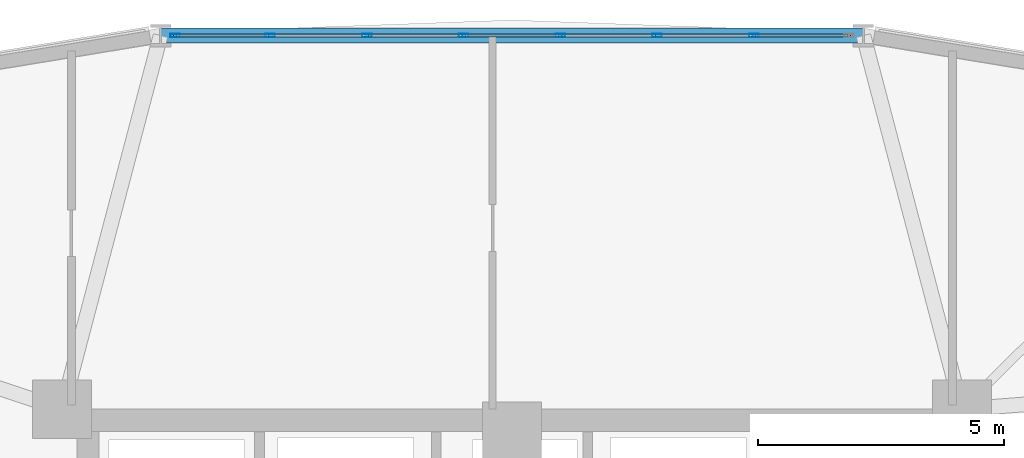
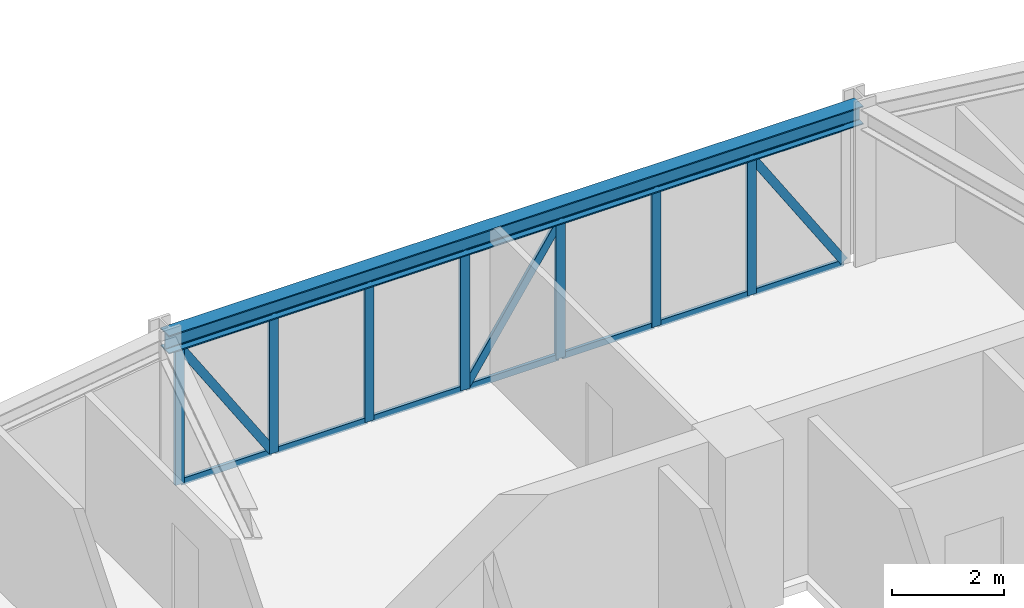
# One storey, part 8 of 17: 24 members, 1 beam, 1 element without a shape of its own.
"""IFC4 building model written with IfcOpenShell, lengths in metres."""

from ifc_helpers import new_model, si_unit, derived_unit, direction, frame, origin, origin_2d, place, context, subcontext, project, spatial, hollow_rectangle, i_section, extrude, source, transform, mapped, material, layer, layer_set, material_profile, profile_set, type_object, element, aggregate, save


model = new_model("IFC4")

# Units and contexts
model_context = context("Model", 3, precision=1e-05, world=origin(), true_north=direction((0.0, 1.0)))
body_context = subcontext(model_context, "Body", "Model", "MODEL_VIEW")
ifc_project = project(units=[si_unit("LENGTHUNIT", "METRE"), si_unit("AREAUNIT", "SQUARE_METRE"), si_unit("VOLUMEUNIT", "CUBIC_METRE"), si_unit("PLANEANGLEUNIT", "RADIAN"), si_unit("MASSUNIT", "GRAM", prefix="KILO"), derived_unit("THERMALTRANSMITTANCEUNIT", [(si_unit("POWERUNIT", "WATT"), 1), (si_unit("LENGTHUNIT", "METRE"), -2), (si_unit("THERMODYNAMICTEMPERATUREUNIT", "KELVIN"), -1)])], contexts=[model_context])

# Site, building, storey
site_placement = place(None, origin())
site = spatial("IfcSite", under=ifc_project, at=site_placement, CompositionType="ELEMENT")
building_placement = place(site_placement, origin())
building = spatial("IfcBuilding", under=site, at=building_placement, Name="Korsvarv Bourse and Concert Hall", CompositionType="ELEMENT")
storey_placement = place(building_placement, frame((0.0, 0.0, 102.60009765625)))
storey = spatial("IfcBuildingStorey", under=building, at=storey_placement, Name="L25", CompositionType="ELEMENT", Elevation=102.60009765625)

# Beam
ifc_material_1 = material(Name="Steel S355", Category="steel")
ifc_material_profile_1 = material_profile(ifc_material_1, i_section(OverallWidth=0.300048828125, OverallDepth=0.39990234375, WebThickness=0.013427734375, FlangeThickness=0.02392578125, FilletRadius=0.02099609375, at=origin_2d()), Name="HEB 400")
ifc_profile_set_1 = profile_set([ifc_material_profile_1], Name="Steel S355")
beam_type = type_object("IfcBeamType", Name="BM-HEB400", PredefinedType="SPANDREL", material=ifc_profile_set_1)
shared_shape_1 = source(origin(), body_context, "Body", "SweptSolid", [
    extrude(i_section(OverallWidth=0.300048828125, OverallDepth=0.39990234375, WebThickness=0.013427734375, FlangeThickness=0.02392578125, FilletRadius=0.02099609375, at=origin_2d()), origin(), (0.0, 0.0, 1.0), 14.298828125),
])
beam_placement = place(storey_placement, frame((43.1494140625, 54.8515625, 3.199951171875), z_axis=(-1.0, 0.0, 0.0), x_axis=(0.0, -1.0, 0.0)))
element("IfcBeam", 1, at=beam_placement, inside=storey, type_object=beam_type, Name="L25 beam B-09", PredefinedType="SPANDREL", context=body_context, shape_type="MappedRepresentation", body=[
    mapped(shared_shape_1, transform((0.0, 0.0, 0.0), scale=1.0)),
])

# Curtain wall, members
ifc_material_2 = material(Name="Anodised aluminium and triple low-E glazing", Category="glass")
ifc_layer = layer(ifc_material_2, 0.2099609375)
ifc_layer_set = layer_set([ifc_layer], Name="Anodised aluminium and triple low-E glazing")
curtain_wall_type = type_object("IfcCurtainWallType", Name="CW-SYS-2", PredefinedType="NOTDEFINED", material=ifc_layer_set)
curtain_wall_placement = place(storey_placement, origin())
curtain_wall = element("IfcCurtainWall", 2, at=curtain_wall_placement, inside=storey, type_object=curtain_wall_type, Name="L25 CW2 curtain wall CW-L25-F03", PredefinedType="NOTDEFINED")
ifc_material_3 = material(Name="Extruded aluminium EN AW-6063 T66", Category="aluminium")
ifc_material_profile_2 = material_profile(ifc_material_3, hollow_rectangle(XDim=0.070068359375, YDim=0.18994140625, WallThickness=0.0048828125, at=origin_2d()), Name="ALU-M 70x190")
ifc_profile_set_2 = profile_set([ifc_material_profile_2], Name="Extruded aluminium EN AW-6063 T66")
member_type_1 = type_object("IfcMemberType", Name="CWM-190", PredefinedType="MULLION", material=ifc_profile_set_2)
shared_shape_2 = source(origin(), body_context, "Body", "SweptSolid", [
    extrude(hollow_rectangle(XDim=0.070068359375, YDim=0.18994140625, WallThickness=0.0048828125, at=origin_2d()), origin(), (0.0, 0.0, 1.0), 3.0),
])
member_1_placement = place(storey_placement, frame((40.921630859375, 54.8515625, 0.0), z_axis=(0.0, 0.0, 1.0), x_axis=(0.0, -1.0, 0.0)))
member_1 = element("IfcMember", 3, at=member_1_placement, type_object=member_type_1, Name="CW2 mullion 2", PredefinedType="MULLION", context=body_context, shape_type="MappedRepresentation", body=[
    mapped(shared_shape_2, transform((0.0, 0.0, 0.0), scale=1.0)),
])
member_2_placement = place(storey_placement, frame((38.953125, 54.8515625, 0.0), z_axis=(0.0, 0.0, 1.0), x_axis=(0.0, -1.0, 0.0)))
member_2 = element("IfcMember", 4, at=member_2_placement, type_object=member_type_1, Name="CW2 mullion 3", PredefinedType="MULLION", context=body_context, shape_type="MappedRepresentation", body=[
    mapped(shared_shape_2, transform((0.0, 0.0, 0.0), scale=1.0)),
])
member_3_placement = place(storey_placement, frame((36.984375, 54.8515625, 0.0), z_axis=(0.0, 0.0, 1.0), x_axis=(0.0, -1.0, 0.0)))
member_3 = element("IfcMember", 5, at=member_3_placement, type_object=member_type_1, Name="CW2 mullion 4", PredefinedType="MULLION", context=body_context, shape_type="MappedRepresentation", body=[
    mapped(shared_shape_2, transform((0.0, 0.0, 0.0), scale=1.0)),
])
member_4_placement = place(storey_placement, frame((35.015625, 54.8515625, 0.0), z_axis=(0.0, 0.0, 1.0), x_axis=(0.0, -1.0, 0.0)))
member_4 = element("IfcMember", 6, at=member_4_placement, type_object=member_type_1, Name="CW2 mullion 5", PredefinedType="MULLION", context=body_context, shape_type="MappedRepresentation", body=[
    mapped(shared_shape_2, transform((0.0, 0.0, 0.0), scale=1.0)),
])
member_5_placement = place(storey_placement, frame((33.046875, 54.8515625, 0.0), z_axis=(0.0, 0.0, 1.0), x_axis=(0.0, -1.0, 0.0)))
member_5 = element("IfcMember", 7, at=member_5_placement, type_object=member_type_1, Name="CW2 mullion 6", PredefinedType="MULLION", context=body_context, shape_type="MappedRepresentation", body=[
    mapped(shared_shape_2, transform((0.0, 0.0, 0.0), scale=1.0)),
])
member_6_placement = place(storey_placement, frame((31.078369140625, 54.8515625, 0.0), z_axis=(0.0, 0.0, 1.0), x_axis=(0.0, -1.0, 0.0)))
member_6 = element("IfcMember", 8, at=member_6_placement, type_object=member_type_1, Name="CW2 mullion 7", PredefinedType="MULLION", context=body_context, shape_type="MappedRepresentation", body=[
    mapped(shared_shape_2, transform((0.0, 0.0, 0.0), scale=1.0)),
])
member_7_placement = place(storey_placement, frame((29.14453125, 54.8515625, 0.0), z_axis=(0.0, 0.0, 1.0), x_axis=(0.0, -1.0, 0.0)))
member_7 = element("IfcMember", 9, at=member_7_placement, type_object=member_type_1, Name="CW2 mullion 8", PredefinedType="MULLION", context=body_context, shape_type="MappedRepresentation", body=[
    mapped(shared_shape_2, transform((0.0, 0.0, 0.0), scale=1.0)),
])
ifc_material_profile_3 = material_profile(ifc_material_3, hollow_rectangle(XDim=0.06494140625, YDim=0.139892578125, WallThickness=0.00390625, at=origin_2d()), Name="ALU-T 65x140")
ifc_profile_set_3 = profile_set([ifc_material_profile_3], Name="Extruded aluminium EN AW-6063 T66")
member_type_2 = type_object("IfcMemberType", Name="CWT-140", PredefinedType="USERDEFINED", material=ifc_profile_set_3)
shared_shape_3 = source(origin(), body_context, "Body", "SweptSolid", [
    extrude(hollow_rectangle(XDim=0.06494140625, YDim=0.139892578125, WallThickness=0.00390625, at=origin_2d()), origin(), (0.0, 0.0, 1.0), 1.863525390625),
])
member_8_placement = place(storey_placement, frame((42.8203125, 54.8515625, 0.032470703125), z_axis=(-1.0, 0.0, 0.0), x_axis=(0.0, -1.0, 0.0)))
member_8 = element("IfcMember", 10, at=member_8_placement, type_object=member_type_2, Name="CW2 transom 1.1", ObjectType="TRANSOM", PredefinedType="USERDEFINED", context=body_context, shape_type="MappedRepresentation", body=[
    mapped(shared_shape_3, transform((0.0, 0.0, 0.0), scale=1.0)),
])
member_9_placement = place(storey_placement, frame((42.8203125, 54.8515625, 2.96728515625), z_axis=(-1.0, 0.0, 0.0), x_axis=(0.0, -1.0, 0.0)))
member_9 = element("IfcMember", 11, at=member_9_placement, type_object=member_type_2, Name="CW2 transom 1.2", ObjectType="TRANSOM", PredefinedType="USERDEFINED", context=body_context, shape_type="MappedRepresentation", body=[
    mapped(shared_shape_3, transform((0.0, 0.0, 0.0), scale=1.0)),
])
member_10_placement = place(storey_placement, frame((31.043212890625, 54.8515625, 0.032470703125), z_axis=(-1.0, 0.0, 0.0), x_axis=(0.0, -1.0, 0.0)))
member_10 = element("IfcMember", 12, at=member_10_placement, type_object=member_type_2, Name="CW2 transom 7.1", ObjectType="TRANSOM", PredefinedType="USERDEFINED", context=body_context, shape_type="MappedRepresentation", body=[
    mapped(shared_shape_3, transform((0.0, 0.0, 0.0), scale=1.0)),
])
member_11_placement = place(storey_placement, frame((31.043212890625, 54.8515625, 2.96728515625), z_axis=(-1.0, 0.0, 0.0), x_axis=(0.0, -1.0, 0.0)))
member_11 = element("IfcMember", 13, at=member_11_placement, type_object=member_type_2, Name="CW2 transom 7.2", ObjectType="TRANSOM", PredefinedType="USERDEFINED", context=body_context, shape_type="MappedRepresentation", body=[
    mapped(shared_shape_3, transform((0.0, 0.0, 0.0), scale=1.0)),
])
shared_shape_4 = source(origin(), body_context, "Body", "SweptSolid", [
    extrude(hollow_rectangle(XDim=0.06494140625, YDim=0.139892578125, WallThickness=0.00390625, at=origin_2d()), origin(), (0.0, 0.0, 1.0), 1.898681640625),
])
member_12_placement = place(storey_placement, frame((40.88671875, 54.8515625, 0.032470703125), z_axis=(-1.0, 0.0, 0.0), x_axis=(0.0, -1.0, 0.0)))
member_12 = element("IfcMember", 14, at=member_12_placement, type_object=member_type_2, Name="CW2 transom 2.1", ObjectType="TRANSOM", PredefinedType="USERDEFINED", context=body_context, shape_type="MappedRepresentation", body=[
    mapped(shared_shape_4, transform((0.0, 0.0, 0.0), scale=1.0)),
])
member_13_placement = place(storey_placement, frame((40.88671875, 54.8515625, 2.96728515625), z_axis=(-1.0, 0.0, 0.0), x_axis=(0.0, -1.0, 0.0)))
member_13 = element("IfcMember", 15, at=member_13_placement, type_object=member_type_2, Name="CW2 transom 2.2", ObjectType="TRANSOM", PredefinedType="USERDEFINED", context=body_context, shape_type="MappedRepresentation", body=[
    mapped(shared_shape_4, transform((0.0, 0.0, 0.0), scale=1.0)),
])
member_14_placement = place(storey_placement, frame((38.91796875, 54.8515625, 0.032470703125), z_axis=(-1.0, 0.0, 0.0), x_axis=(0.0, -1.0, 0.0)))
member_14 = element("IfcMember", 16, at=member_14_placement, type_object=member_type_2, Name="CW2 transom 3.1", ObjectType="TRANSOM", PredefinedType="USERDEFINED", context=body_context, shape_type="MappedRepresentation", body=[
    mapped(shared_shape_4, transform((0.0, 0.0, 0.0), scale=1.0)),
])
member_15_placement = place(storey_placement, frame((38.91796875, 54.8515625, 2.96728515625), z_axis=(-1.0, 0.0, 0.0), x_axis=(0.0, -1.0, 0.0)))
member_15 = element("IfcMember", 17, at=member_15_placement, type_object=member_type_2, Name="CW2 transom 3.2", ObjectType="TRANSOM", PredefinedType="USERDEFINED", context=body_context, shape_type="MappedRepresentation", body=[
    mapped(shared_shape_4, transform((0.0, 0.0, 0.0), scale=1.0)),
])
member_16_placement = place(storey_placement, frame((34.980712890625, 54.8515625, 0.032470703125), z_axis=(-1.0, 0.0, 0.0), x_axis=(0.0, -1.0, 0.0)))
member_16 = element("IfcMember", 18, at=member_16_placement, type_object=member_type_2, Name="CW2 transom 5.1", ObjectType="TRANSOM", PredefinedType="USERDEFINED", context=body_context, shape_type="MappedRepresentation", body=[
    mapped(shared_shape_4, transform((0.0, 0.0, 0.0), scale=1.0)),
])
member_17_placement = place(storey_placement, frame((34.980712890625, 54.8515625, 2.96728515625), z_axis=(-1.0, 0.0, 0.0), x_axis=(0.0, -1.0, 0.0)))
member_17 = element("IfcMember", 19, at=member_17_placement, type_object=member_type_2, Name="CW2 transom 5.2", ObjectType="TRANSOM", PredefinedType="USERDEFINED", context=body_context, shape_type="MappedRepresentation", body=[
    mapped(shared_shape_4, transform((0.0, 0.0, 0.0), scale=1.0)),
])
member_18_placement = place(storey_placement, frame((33.011962890625, 54.8515625, 0.032470703125), z_axis=(-1.0, 0.0, 0.0), x_axis=(0.0, -1.0, 0.0)))
member_18 = element("IfcMember", 20, at=member_18_placement, type_object=member_type_2, Name="CW2 transom 6.1", ObjectType="TRANSOM", PredefinedType="USERDEFINED", context=body_context, shape_type="MappedRepresentation", body=[
    mapped(shared_shape_4, transform((0.0, 0.0, 0.0), scale=1.0)),
])
member_19_placement = place(storey_placement, frame((33.011962890625, 54.8515625, 2.96728515625), z_axis=(-1.0, 0.0, 0.0), x_axis=(0.0, -1.0, 0.0)))
member_19 = element("IfcMember", 21, at=member_19_placement, type_object=member_type_2, Name="CW2 transom 6.2", ObjectType="TRANSOM", PredefinedType="USERDEFINED", context=body_context, shape_type="MappedRepresentation", body=[
    mapped(shared_shape_4, transform((0.0, 0.0, 0.0), scale=1.0)),
])
shared_shape_5 = source(origin(), body_context, "Body", "SweptSolid", [
    extrude(hollow_rectangle(XDim=0.06494140625, YDim=0.139892578125, WallThickness=0.00390625, at=origin_2d()), origin(), (0.0, 0.0, 1.0), 1.89892578125),
])
member_20_placement = place(storey_placement, frame((36.949462890625, 54.8515625, 0.032470703125), z_axis=(-1.0, 0.0, 0.0), x_axis=(0.0, -1.0, 0.0)))
member_20 = element("IfcMember", 22, at=member_20_placement, type_object=member_type_2, Name="CW2 transom 4.1", ObjectType="TRANSOM", PredefinedType="USERDEFINED", context=body_context, shape_type="MappedRepresentation", body=[
    mapped(shared_shape_5, transform((0.0, 0.0, 0.0), scale=1.0)),
])
member_21_placement = place(storey_placement, frame((36.949462890625, 54.8515625, 2.96728515625), z_axis=(-1.0, 0.0, 0.0), x_axis=(0.0, -1.0, 0.0)))
member_21 = element("IfcMember", 23, at=member_21_placement, type_object=member_type_2, Name="CW2 transom 4.2", ObjectType="TRANSOM", PredefinedType="USERDEFINED", context=body_context, shape_type="MappedRepresentation", body=[
    mapped(shared_shape_5, transform((0.0, 0.0, 0.0), scale=1.0)),
])
ifc_material_profile_4 = material_profile(ifc_material_3, hollow_rectangle(XDim=0.06494140625, YDim=0.1650390625, WallThickness=0.0048828125, at=origin_2d()), Name="ALU-M 65x165")
ifc_profile_set_4 = profile_set([ifc_material_profile_4], Name="Extruded aluminium EN AW-6063 T66")
member_type_3 = type_object("IfcMemberType", Name="CWM-165", PredefinedType="MULLION", material=ifc_profile_set_4)
shared_shape_6 = source(origin(), body_context, "Body", "SweptSolid", [
    extrude(hollow_rectangle(XDim=0.06494140625, YDim=0.1650390625, WallThickness=0.0048828125, at=origin_2d()), origin(), (0.0, 0.0, 1.0), 3.421875),
])
member_22_placement = place(storey_placement, frame((42.8203125, 54.8515625, 0.06494140625), z_axis=(-0.544599576878, 0.0, 0.838696191039), x_axis=(0.0, -1.0, 0.0)))
member_22 = element("IfcMember", 24, at=member_22_placement, type_object=member_type_3, Name="CW2 diagonal mullion 1", PredefinedType="MULLION", context=body_context, shape_type="MappedRepresentation", body=[
    mapped(shared_shape_6, transform((0.0, 0.0, 0.0), scale=1.0)),
])
member_23_placement = place(storey_placement, frame((31.043212890625, 54.8515625, 0.06494140625), z_axis=(-0.544599576878, 0.0, 0.838696191039), x_axis=(0.0, -1.0, 0.0)))
member_23 = element("IfcMember", 25, at=member_23_placement, type_object=member_type_3, Name="CW2 diagonal mullion 7", PredefinedType="MULLION", context=body_context, shape_type="MappedRepresentation", body=[
    mapped(shared_shape_6, transform((0.0, 0.0, 0.0), scale=1.0)),
])
shared_shape_7 = source(origin(), body_context, "Body", "SweptSolid", [
    extrude(hollow_rectangle(XDim=0.06494140625, YDim=0.1650390625, WallThickness=0.0048828125, at=origin_2d()), origin(), (0.0, 0.0, 1.0), 3.441162109375),
])
member_24_placement = place(storey_placement, frame((35.050537109375, 54.8515625, 0.06494140625), z_axis=(0.551815384429, 0.0, 0.833966295187), x_axis=(0.0, 1.0, 0.0)))
member_24 = element("IfcMember", 26, at=member_24_placement, type_object=member_type_3, Name="CW2 diagonal mullion 4", PredefinedType="MULLION", context=body_context, shape_type="MappedRepresentation", body=[
    mapped(shared_shape_7, transform((0.0, 0.0, 0.0), scale=1.0)),
])
aggregate(curtain_wall, [member_1, member_2, member_3, member_4, member_5, member_6, member_7, member_8, member_9, member_22, member_12, member_13, member_14, member_15, member_20, member_21, member_24, member_16, member_17, member_18, member_19, member_10, member_11, member_23])

save(model, "model.ifc")
